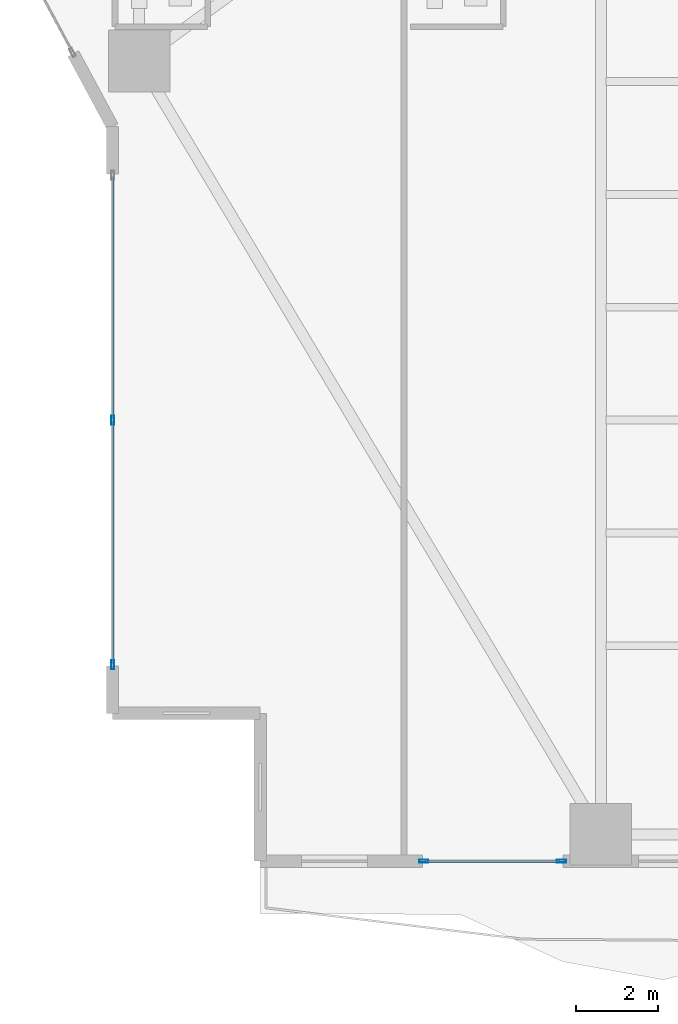
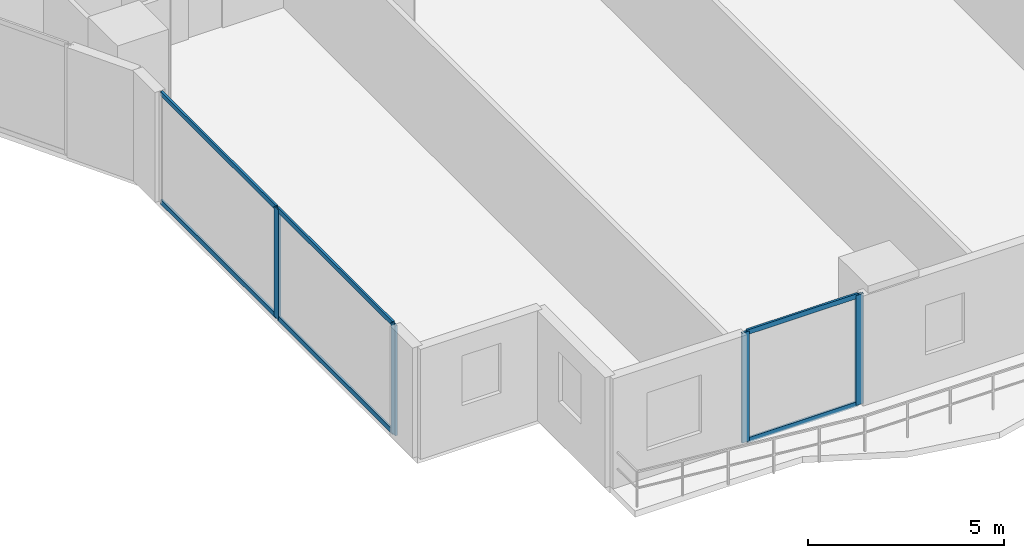
# One storey, part 2 of 28: 10 members, 2 elements without a shape of their own.
"""IFC4 building model written with IfcOpenShell, lengths in metres."""

import ifcopenshell
import ifcopenshell.guid

model = None  # the IFC model being written
_history = None  # IfcOwnerHistory: only IFC2X3 demands one
_inside = {}  # id of a spatial element -> (the spatial element, [elements in it])
_under = {}  # id of a project, library or spatial element -> (it, [spatial elements below it])
_declared = {}  # id of a project -> (the project, [libraries it declares])
_typed = {}  # id of a type object -> (the type object, [elements of that type])
_made_of = {}  # id of a material, layer set ... -> (it, [elements and type objects made of it])


def new_model(schema):
    """Start an empty IFC model of exactly this schema.

    Asked for "IFC4X3", IfcOpenShell would pick the latest addendum, in which some entities
    have other attributes; the version numbers below select the first issue.
    IFC2X3 requires an IfcOwnerHistory on every rooted entity: one is made here for all.
    """
    global model, _history
    if schema == "IFC4X3":
        model = ifcopenshell.file(schema_version=(4, 3, 0, 0))
    else:
        model = ifcopenshell.file(schema=schema)
    _inside.clear()
    _under.clear()
    _declared.clear()
    _typed.clear()
    _made_of.clear()
    _history = None
    if model.schema == "IFC2X3":
        org = make("IfcOrganization", Name="unknown")
        user = make(
            "IfcPersonAndOrganization",
            ThePerson=make("IfcPerson", FamilyName="unknown"),
            TheOrganization=org,
        )
        app = make(
            "IfcApplication",
            ApplicationDeveloper=org,
            Version="unknown",
            ApplicationFullName="unknown",
            ApplicationIdentifier="unknown",
        )
        _history = make(
            "IfcOwnerHistory",
            OwningUser=user,
            OwningApplication=app,
            ChangeAction="ADDED",
            CreationDate=0,
        )
    return model


def make(cls, **values):
    """One entity of the class cls with the attributes given. An attribute that is None is left unset."""
    return model.create_entity(
        cls, **{name: value for name, value in values.items() if value is not None}
    )


def rooted(cls, **values):
    """An entity with a GlobalId (a new one), such as an element, a storey or a relation."""
    return make(cls, GlobalId=ifcopenshell.guid.new(), OwnerHistory=_history, **values)


def si_unit(unit_type, name, prefix=None):
    """IfcSIUnit, for example si_unit("LENGTHUNIT", "METRE", prefix="MILLI")."""
    return make("IfcSIUnit", UnitType=unit_type, Prefix=prefix, Name=name)


def assignment(units):
    """IfcUnitAssignment: the units of a project."""
    return None if units is None else make("IfcUnitAssignment", Units=units)


def point(xyz):
    """IfcCartesianPoint."""
    return None if xyz is None else make("IfcCartesianPoint", Coordinates=xyz)


def direction(xyz):
    """IfcDirection."""
    return None if xyz is None else make("IfcDirection", DirectionRatios=xyz)


def frame(location, z_axis=None, x_axis=None):
    """IfcAxis2Placement3D, a coordinate frame: its origin and axes. An axis left out is left unset."""
    return make(
        "IfcAxis2Placement3D",
        Location=point(location),
        Axis=direction(z_axis),
        RefDirection=direction(x_axis),
    )


def frame_2d(location, x_axis=None):
    """IfcAxis2Placement2D, a coordinate frame in the plane: its origin and x axis."""
    return make(
        "IfcAxis2Placement2D", Location=point(location), RefDirection=direction(x_axis)
    )


def origin():
    """The frame at (0, 0, 0) with its axes left unset."""
    return frame((0.0, 0.0, 0.0))


def origin_2d():
    """The frame at (0, 0) in the plane with its x axis left unset."""
    return frame_2d((0.0, 0.0))


def place(relative_to, where):
    """IfcLocalPlacement: puts the frame where relative to a parent placement (None: the world)."""
    return make(
        "IfcLocalPlacement", PlacementRelTo=relative_to, RelativePlacement=where
    )


def context(
    kind, dimensions, precision=None, world=None, true_north=None, identifier=None
):
    """IfcGeometricRepresentationContext, for example the 3D "Model" context."""
    return make(
        "IfcGeometricRepresentationContext",
        ContextIdentifier=identifier,
        ContextType=kind,
        CoordinateSpaceDimension=dimensions,
        Precision=precision,
        WorldCoordinateSystem=world,
        TrueNorth=true_north,
    )


def subcontext(parent, identifier, kind, view, scale=None):
    """IfcGeometricRepresentationSubContext, for example "Body" below "Model"."""
    return make(
        "IfcGeometricRepresentationSubContext",
        ContextIdentifier=identifier,
        ContextType=kind,
        ParentContext=parent,
        TargetScale=scale,
        TargetView=view,
    )


def project(units=None, contexts=None):
    """IfcProject with its units and contexts."""
    return rooted(
        "IfcProject",
        Name="project",
        RepresentationContexts=contexts,
        UnitsInContext=assignment(units),
    )


def spatial(cls, under=None, at=None, **own):
    """A site, building, storey or space (cls), placed at a placement, below another one or the project."""
    s = rooted(cls, ObjectPlacement=at, **own)
    if under is not None:
        _under.setdefault(under.id(), (under, []))[1].append(s)
    return s


def profile(cls, at=None, kind="AREA", **sizes):
    """A parametric profile (cls). Its sizes go by their IFC names, for example OverallWidth=200.0."""
    return make(cls, ProfileType=kind, Position=at, **sizes)


def hollow_rectangle(**sizes):
    """IfcRectangleHollowProfileDef."""
    return profile("IfcRectangleHollowProfileDef", **sizes)


def extrude(swept, where, along, depth):
    """IfcExtrudedAreaSolid: the profile swept, set in the frame where, extruded along a direction by depth."""
    return make(
        "IfcExtrudedAreaSolid",
        SweptArea=swept,
        Position=where,
        ExtrudedDirection=direction(along),
        Depth=depth,
    )


def shape(context_of_items, identifier, shape_type, items):
    """IfcShapeRepresentation: the items that make up one representation, for example the "Body"."""
    return make(
        "IfcShapeRepresentation",
        ContextOfItems=context_of_items,
        RepresentationIdentifier=identifier,
        RepresentationType=shape_type,
        Items=items,
    )


def material(Name=None, Category=None):
    """IfcMaterial."""
    return make("IfcMaterial", Name=Name, Category=Category)


def layer(
    of_material, thickness, ventilated=None, Name=None, Category=None, Priority=None
):
    """IfcMaterialLayer: one layer of a wall or slab, of a material (None: an air gap)."""
    return make(
        "IfcMaterialLayer",
        Material=of_material,
        LayerThickness=thickness,
        IsVentilated=ventilated,
        Name=Name,
        Category=Category,
        Priority=Priority,
    )


def layer_set(layers, Name=None):
    """IfcMaterialLayerSet."""
    return make("IfcMaterialLayerSet", MaterialLayers=layers, LayerSetName=Name)


def material_profile(
    of_material, cross_section, Name=None, Category=None, Priority=None
):
    """IfcMaterialProfile: a cross section and its material."""
    return make(
        "IfcMaterialProfile",
        Name=Name,
        Material=of_material,
        Profile=cross_section,
        Priority=Priority,
        Category=Category,
    )


def profile_set(profiles, Name=None, composite=None):
    """IfcMaterialProfileSet."""
    return make(
        "IfcMaterialProfileSet",
        Name=Name,
        MaterialProfiles=profiles,
        CompositeProfile=composite,
    )


def made_of(thing, what):
    """Note that an element or type object is made of a material, layer set ...; save() writes the relation."""
    if what is not None:
        _made_of.setdefault(what.id(), (what, []))[1].append(thing)
    return thing


def type_object(cls, material=None, **own):
    """A type object (cls), such as IfcWallType, which elements share."""
    return made_of(rooted(cls, **own), material)


def element(
    cls,
    number,
    at=None,
    inside=None,
    cuts=None,
    type_object=None,
    material=None,
    context=None,
    identifier="Body",
    shape_type=None,
    held_by="IfcProductDefinitionShape",
    body=None,
    shapes=None,
    **own,
):
    """One element of the class cls, such as IfcWall. Its Tag is "e" and its number.

    at: its placement. inside: the storey or other place that contains it. cuts: it is an
    opening in that element (IfcRelVoidsElement). A single representation is given by context,
    identifier, shape_type and body (its items); several are given by shapes. held_by: the class
    of the entity that holds the representations. save() writes the other relations.
    """
    e = rooted(cls, Tag="e%d" % number, ObjectPlacement=at, **own)
    if body is not None:
        shapes = [shape(context, identifier, shape_type, body)]
    if shapes is not None:
        e.Representation = make(held_by, Representations=shapes)
    if inside is not None:
        _inside.setdefault(inside.id(), (inside, []))[1].append(e)
    if cuts is not None:
        rooted(
            "IfcRelVoidsElement", RelatingBuildingElement=cuts, RelatedOpeningElement=e
        )
    if type_object is not None:
        _typed.setdefault(type_object.id(), (type_object, []))[1].append(e)
    return made_of(e, material)


def aggregate(whole, parts):
    """IfcRelAggregates: a whole, such as a stair, and the parts it consists of."""
    return rooted("IfcRelAggregates", RelatingObject=whole, RelatedObjects=parts)


def save(model, path):
    """Write the relations noted so far, then the file.

    IfcRelAggregates (storeys below a building ...), IfcRelContainedInSpatialStructure (elements
    in a storey), IfcRelDefinesByType, IfcRelAssociatesMaterial and IfcRelDeclares: one each for
    every whole, place, type object, material and project.
    """
    for whole, parts in _under.values():
        aggregate(whole, parts)
    for where, things in _inside.values():
        rooted(
            "IfcRelContainedInSpatialStructure",
            RelatedElements=things,
            RelatingStructure=where,
        )
    for kind, things in _typed.values():
        rooted("IfcRelDefinesByType", RelatedObjects=things, RelatingType=kind)
    for what, things in _made_of.values():
        rooted("IfcRelAssociatesMaterial", RelatedObjects=things, RelatingMaterial=what)
    for by, libraries in _declared.values():
        rooted("IfcRelDeclares", RelatingContext=by, RelatedDefinitions=libraries)
    model.write(path)


model = new_model("IFC4")

# Units and contexts
model_context = context("Model", 3, precision=1e-05, world=origin(), true_north=direction((0.0, 1.0)))
body_context = subcontext(model_context, "Body", "Model", "MODEL_VIEW")
ifc_project = project(units=[si_unit("LENGTHUNIT", "METRE"), si_unit("AREAUNIT", "SQUARE_METRE"), si_unit("VOLUMEUNIT", "CUBIC_METRE"), si_unit("PLANEANGLEUNIT", "RADIAN"), si_unit("MASSUNIT", "GRAM", prefix="KILO")], contexts=[model_context])

# Site, building, storey
site_placement = place(None, origin())
site = spatial("IfcSite", under=ifc_project, at=site_placement, CompositionType="ELEMENT")
building_placement = place(site_placement, origin())
building = spatial("IfcBuilding", under=site, at=building_placement, Name="Zuhayl Quay Hotel", CompositionType="ELEMENT")
storey_placement = place(building_placement, frame((0.0, 0.0, 53.14990234375)))
storey = spatial("IfcBuildingStorey", under=building, at=storey_placement, Name="L12", CompositionType="ELEMENT", Elevation=53.14990234375)

# Curtain wall, members
ifc_material_1 = material(Name="Anodised Aluminium 6063-T6", Category="aluminium")
ifc_layer = layer(ifc_material_1, 0.18994140625, Name="Anodised Aluminium 6063-T6", Category="aluminium")
ifc_layer_set = layer_set([ifc_layer], Name="Anodised Aluminium 6063-T6")
curtain_wall_type = type_object("IfcCurtainWallType", Name="CW_SYS_Z1", PredefinedType="USERDEFINED", material=ifc_layer_set)
curtain_wall_1_placement = place(storey_placement, origin())
curtain_wall_1 = element("IfcCurtainWall", 1, at=curtain_wall_1_placement, inside=storey, type_object=curtain_wall_type, Name="L12 Curtain Wall ENV_L12_E02_CW1", ObjectType="UNITISED CURTAIN WALL", PredefinedType="USERDEFINED")
ifc_material_2 = material(Name="Black-anodised aluminium 6063-T6", Category="aluminium")
ifc_material_profile_1 = material_profile(ifc_material_2, hollow_rectangle(XDim=0.074951171875, YDim=0.219970703125, WallThickness=0.00390625, at=origin_2d()), Name="ALU220X75")
ifc_profile_set_1 = profile_set([ifc_material_profile_1], Name="Black-anodised aluminium 6063-T6")
member_type_1 = type_object("IfcMemberType", Name="MB_CW_MUL_220", PredefinedType="MULLION", material=ifc_profile_set_1)
member_1_placement = place(storey_placement, frame((-25.699951171875, -18.3125, 0.0), z_axis=(0.0, 0.0, 1.0), x_axis=(-1.0, 0.0, 0.0)))
member_1 = element("IfcMember", 2, at=member_1_placement, type_object=member_type_1, Name="CW-Z1 mullion 1", PredefinedType="MULLION", context=body_context, shape_type="SweptSolid", body=[
    extrude(hollow_rectangle(XDim=0.074951171875, YDim=0.219970703125, WallThickness=0.00390625, at=origin_2d()), origin(), (0.0, 0.0, 1.0), 3.43017578125),
])
member_2_placement = place(storey_placement, frame((-25.699951171875, -12.35009765625, 0.0), z_axis=(0.0, 0.0, 1.0), x_axis=(-1.0, 0.0, 0.0)))
member_2 = element("IfcMember", 3, at=member_2_placement, type_object=member_type_1, Name="CW-Z1 mullion 2", PredefinedType="MULLION", context=body_context, shape_type="SweptSolid", body=[
    extrude(hollow_rectangle(XDim=0.074951171875, YDim=0.219970703125, WallThickness=0.00390625, at=origin_2d()), origin(), (0.0, 0.0, 1.0), 3.43017578125),
])

curtain_wall_2_placement = place(storey_placement, origin())
curtain_wall_2 = element("IfcCurtainWall", 4, at=curtain_wall_2_placement, inside=storey, type_object=curtain_wall_type, Name="L12 Curtain Wall ENV_L12_S_CW5", ObjectType="UNITISED CURTAIN WALL", PredefinedType="USERDEFINED")
member_3_placement = place(storey_placement, frame((-14.757568359375, -23.10009765625, 0.0), z_axis=(0.0, 0.0, 1.0), x_axis=(0.0, -1.0, 0.0)))
member_3 = element("IfcMember", 5, at=member_3_placement, type_object=member_type_1, Name="CW-Z1 mullion 1", PredefinedType="MULLION", context=body_context, shape_type="SweptSolid", body=[
    extrude(hollow_rectangle(XDim=0.074951171875, YDim=0.219970703125, WallThickness=0.00390625, at=origin_2d()), origin(), (0.0, 0.0, 1.0), 3.43017578125),
])
member_4_placement = place(storey_placement, frame((-18.112548828125, -23.10009765625, 0.0), z_axis=(0.0, 0.0, 1.0), x_axis=(0.0, -1.0, 0.0)))
member_4 = element("IfcMember", 6, at=member_4_placement, type_object=member_type_1, Name="CW-Z1 mullion 2", PredefinedType="MULLION", context=body_context, shape_type="SweptSolid", body=[
    extrude(hollow_rectangle(XDim=0.074951171875, YDim=0.219970703125, WallThickness=0.00390625, at=origin_2d()), origin(), (0.0, 0.0, 1.0), 3.43017578125),
])

# Member
ifc_material_profile_2 = material_profile(ifc_material_2, hollow_rectangle(XDim=0.06005859375, YDim=0.14990234375, WallThickness=0.00341796875, at=origin_2d()), Name="ALU150X60")
ifc_profile_set_2 = profile_set([ifc_material_profile_2], Name="Black-anodised aluminium 6063-T6")
member_type_2 = type_object("IfcMemberType", Name="MB_CW_TRN_150", PredefinedType="USERDEFINED", material=ifc_profile_set_2)
member_5_placement = place(storey_placement, frame((-25.699951171875, -18.27490234375, 0.030029296875), z_axis=(0.0, 1.0, 0.0), x_axis=(-1.0, 0.0, 0.0)))
member_5 = element("IfcMember", 7, at=member_5_placement, type_object=member_type_2, Name="CW-Z1 transom 1.1", ObjectType="TRANSOM", PredefinedType="USERDEFINED", context=body_context, shape_type="SweptSolid", body=[
    extrude(hollow_rectangle(XDim=0.06005859375, YDim=0.14990234375, WallThickness=0.00341796875, at=origin_2d()), origin(), (0.0, 0.0, 1.0), 5.887451171875),
])

member_6_placement = place(storey_placement, frame((-25.699951171875, -18.27490234375, 3.400146484375), z_axis=(0.0, 1.0, 0.0), x_axis=(-1.0, 0.0, 0.0)))
member_6 = element("IfcMember", 8, at=member_6_placement, type_object=member_type_2, Name="CW-Z1 transom 1.2", ObjectType="TRANSOM", PredefinedType="USERDEFINED", context=body_context, shape_type="SweptSolid", body=[
    extrude(hollow_rectangle(XDim=0.06005859375, YDim=0.14990234375, WallThickness=0.00341796875, at=origin_2d()), origin(), (0.0, 0.0, 1.0), 5.887451171875),
])

member_7_placement = place(storey_placement, frame((-25.699951171875, -12.3125, 0.030029296875), z_axis=(0.0, 1.0, 0.0), x_axis=(-1.0, 0.0, 0.0)))
member_7 = element("IfcMember", 9, at=member_7_placement, type_object=member_type_2, Name="CW-Z1 transom 2.1", ObjectType="TRANSOM", PredefinedType="USERDEFINED", context=body_context, shape_type="SweptSolid", body=[
    extrude(hollow_rectangle(XDim=0.06005859375, YDim=0.14990234375, WallThickness=0.00341796875, at=origin_2d()), origin(), (0.0, 0.0, 1.0), 5.887451171875),
])

member_8_placement = place(storey_placement, frame((-25.699951171875, -12.3125, 3.400146484375), z_axis=(0.0, 1.0, 0.0), x_axis=(-1.0, 0.0, 0.0)))
member_8 = element("IfcMember", 10, at=member_8_placement, type_object=member_type_2, Name="CW-Z1 transom 2.2", ObjectType="TRANSOM", PredefinedType="USERDEFINED", context=body_context, shape_type="SweptSolid", body=[
    extrude(hollow_rectangle(XDim=0.06005859375, YDim=0.14990234375, WallThickness=0.00341796875, at=origin_2d()), origin(), (0.0, 0.0, 1.0), 5.887451171875),
])

aggregate(curtain_wall_1, [member_1, member_2, member_5, member_6, member_7, member_8])

member_9_placement = place(storey_placement, frame((-14.794921875, -23.10009765625, 0.030029296875), z_axis=(-1.0, 0.0, 0.0), x_axis=(0.0, -1.0, 0.0)))
member_9 = element("IfcMember", 11, at=member_9_placement, type_object=member_type_2, Name="CW-Z1 transom 1.1", ObjectType="TRANSOM", PredefinedType="USERDEFINED", context=body_context, shape_type="SweptSolid", body=[
    extrude(hollow_rectangle(XDim=0.06005859375, YDim=0.14990234375, WallThickness=0.00341796875, at=origin_2d()), origin(), (0.0, 0.0, 1.0), 3.280029296875),
])

member_10_placement = place(storey_placement, frame((-14.794921875, -23.10009765625, 3.400146484375), z_axis=(-1.0, 0.0, 0.0), x_axis=(0.0, -1.0, 0.0)))
member_10 = element("IfcMember", 12, at=member_10_placement, type_object=member_type_2, Name="CW-Z1 transom 1.2", ObjectType="TRANSOM", PredefinedType="USERDEFINED", context=body_context, shape_type="SweptSolid", body=[
    extrude(hollow_rectangle(XDim=0.06005859375, YDim=0.14990234375, WallThickness=0.00341796875, at=origin_2d()), origin(), (0.0, 0.0, 1.0), 3.280029296875),
])

aggregate(curtain_wall_2, [member_3, member_4, member_9, member_10])

save(model, "model.ifc")
